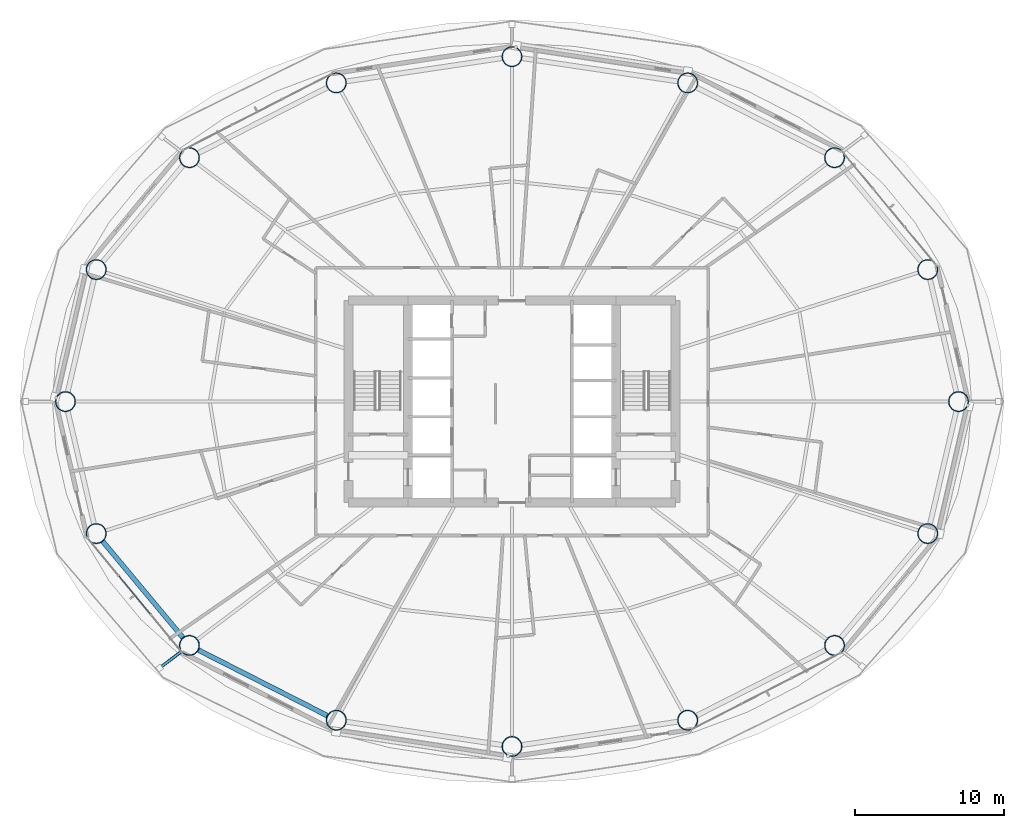
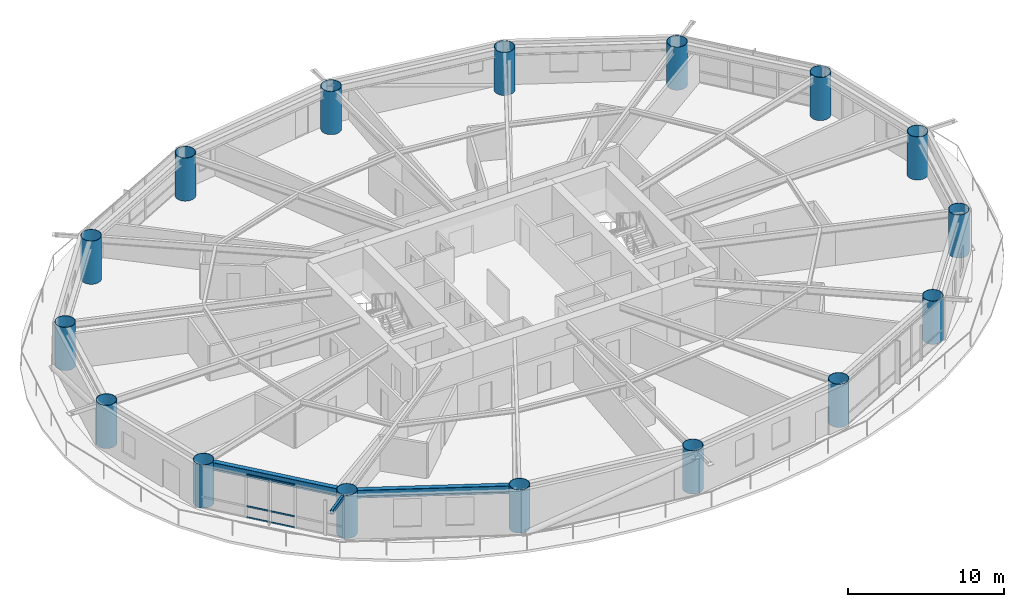
# One storey, part 1 of 26: 16 columns, 4 members, 2 beams, 1 element without a shape of its own.
"""IFC4 building model written with IfcOpenShell, lengths in metres."""

from ifc_helpers import new_model, si_unit, direction, frame, origin, origin_2d, place, context, subcontext, project, spatial, hollow_rectangle, hollow_circle, i_section, extrude, material, layer, layer_set, material_profile, profile_set, type_object, element, aggregate, save


model = new_model("IFC4")

# Units and contexts
model_context = context("Model", 3, precision=1e-05, world=origin(), true_north=direction((0.0, 1.0)))
body_context = subcontext(model_context, "Body", "Model", "MODEL_VIEW")
ifc_project = project(units=[si_unit("LENGTHUNIT", "METRE"), si_unit("AREAUNIT", "SQUARE_METRE"), si_unit("VOLUMEUNIT", "CUBIC_METRE"), si_unit("PLANEANGLEUNIT", "RADIAN"), si_unit("MASSUNIT", "GRAM", prefix="KILO")], contexts=[model_context])

# Site, building, storey
site_placement = place(None, origin())
site = spatial("IfcSite", under=ifc_project, at=site_placement, CompositionType="ELEMENT")
building_placement = place(site_placement, origin())
building = spatial("IfcBuilding", under=site, at=building_placement, Name="Sarneth Arch Tower", CompositionType="ELEMENT")
storey_placement = place(building_placement, frame((0.0, 0.0, 60.60009765625)))
storey = spatial("IfcBuildingStorey", under=building, at=storey_placement, Name="L14", CompositionType="ELEMENT", Elevation=60.60009765625)

# Columns
ifc_material_1 = material(Name="Steel S355", Category="steel")
ifc_material_profile_1 = material_profile(ifc_material_1, hollow_circle(Radius=0.675048828125, WallThickness=0.035888671875, at=origin_2d()), Name="CHS1350x36")
ifc_profile_set_1 = profile_set([ifc_material_profile_1], Name="Steel S355")
column_type = type_object("IfcColumnType", Name="COL-MEGA-1350", PredefinedType="COLUMN", material=ifc_profile_set_1)
for number, where, z_axis, x_axis, name in (
    (1, (78.034912109375, 42.0, 0.0), (0.0, 0.0, 1.0), (1.0, 0.0, 0.0), "L14 Perimeter mega-column M01"),
    (2, (75.965576171875, 50.878173828125, 0.0), (0.0, 0.0, 1.0), (1.0, 0.0, 0.0), "L14 Perimeter mega-column M02"),
    (3, (69.696533203125, 58.40478515625, 0.0), (0.0, 0.0, 1.0), (1.0, 0.0, 0.0), "L14 Perimeter mega-column M03"),
    (4, (59.81787109375, 63.43408203125, 0.0), (0.0, 0.0, 1.0), (1.0, 0.0, 0.0), "L14 Perimeter mega-column M04"),
    (5, (48.0, 65.199951171875, 0.0), (0.0, 0.0, 1.0), (1.0, 0.0, 0.0), "L14 Perimeter mega-column M05"),
    (6, (36.18212890625, 63.43408203125, 0.0), (0.0, 0.0, 1.0), (1.0, 0.0, 0.0), "L14 Perimeter mega-column M06"),
    (7, (26.303466796875, 58.40478515625, 0.0), (0.0, 0.0, 1.0), (1.0, 0.0, 0.0), "L14 Perimeter mega-column M07"),
    (8, (20.034423828125, 50.878173828125, 0.0), (0.0, 0.0, 1.0), (1.0, 0.0, 0.0), "L14 Perimeter mega-column M08"),
    (9, (17.965087890625, 42.0, 0.0), (0.0, 0.0, 1.0), (1.0, 0.0, 0.0), "L14 Perimeter mega-column M09"),
    (10, (20.034423828125, 33.121826171875, 0.0), (0.0, 0.0, 1.0), (1.0, 0.0, 0.0), "L14 Perimeter mega-column M10"),
    (11, (26.303466796875, 25.59521484375, 0.0), (0.0, 0.0, 1.0), (1.0, 0.0, 0.0), "L14 Perimeter mega-column M11"),
    (12, (36.18212890625, 20.56591796875, 0.0), (0.0, 0.0, 1.0), (1.0, 0.0, 0.0), "L14 Perimeter mega-column M12"),
    (13, (48.0, 18.800048828125, 0.0), (0.0, 0.0, 1.0), (1.0, 0.0, 0.0), "L14 Perimeter mega-column M13"),
    (14, (59.81787109375, 20.56591796875, 0.0), (0.0, 0.0, 1.0), (1.0, 0.0, 0.0), "L14 Perimeter mega-column M14"),
    (15, (69.696533203125, 25.59521484375, 0.0), (0.0, 0.0, 1.0), (1.0, 0.0, 0.0), "L14 Perimeter mega-column M15"),
    (16, (75.965576171875, 33.121826171875, 0.0), (0.0, 0.0, 1.0), (1.0, 0.0, 0.0), "L14 Perimeter mega-column M16"),
):
    element("IfcColumn", number, at=place(storey_placement, frame(where, z_axis=z_axis, x_axis=x_axis)), inside=storey, type_object=column_type, Name=name, PredefinedType="COLUMN", context=body_context, shape_type="SweptSolid", body=[
        extrude(hollow_circle(Radius=0.675048828125, WallThickness=0.035888671875, at=origin_2d()), origin(), (0.0, 0.0, 1.0), 3.3798828125),
    ])

# Beams
ifc_material_2 = material(Name="Steel S355", Category="steel")
ifc_material_profile_2 = material_profile(ifc_material_2, i_section(OverallWidth=0.326904296875, OverallDepth=0.6220703125, WebThickness=0.015380859375, FlangeThickness=0.0244140625, FilletRadius=0.01904296875, at=origin_2d()), Name="W610x195")
ifc_profile_set_2 = profile_set([ifc_material_profile_2], Name="Steel S355")
beam_type = type_object("IfcBeamType", Name="BM-SPAN-610A", PredefinedType="SPANDREL", material=ifc_profile_set_2)
beam_1_placement = place(storey_placement, frame((20.466552734375, 32.60302734375, 3.06884765625), z_axis=(0.639979646835, -0.768391860731, 0.0), x_axis=(0.768391860731, 0.639979646835, 0.0)))
element("IfcBeam", 17, at=beam_1_placement, inside=storey, type_object=beam_type, Name="L14 Perimeter spandrel beam 10", PredefinedType="SPANDREL", context=body_context, shape_type="SweptSolid", body=[
    extrude(i_section(OverallWidth=0.326904296875, OverallDepth=0.6220703125, WebThickness=0.015380859375, FlangeThickness=0.0244140625, FilletRadius=0.01904296875, at=origin_2d()), origin(), (0.0, 0.0, 1.0), 8.4453125),
])
beam_2_placement = place(storey_placement, frame((26.90478515625, 25.288818359375, 3.06884765625), z_axis=(0.8911738076, -0.453662037919, 0.0), x_axis=(0.453662037919, 0.8911738076, 0.0)))
element("IfcBeam", 18, at=beam_2_placement, inside=storey, type_object=beam_type, Name="L14 Perimeter spandrel beam 11", PredefinedType="SPANDREL", context=body_context, shape_type="SweptSolid", body=[
    extrude(i_section(OverallWidth=0.326904296875, OverallDepth=0.6220703125, WebThickness=0.015380859375, FlangeThickness=0.0244140625, FilletRadius=0.01904296875, at=origin_2d()), origin(), (0.0, 0.0, 1.0), 9.735107421875),
])

# Curtain wall, members
ifc_material_3 = material(Name="Anodised aluminium Type AA25 and solar-control low-e laminated IGU", Category="aluminium")
ifc_layer = layer(ifc_material_3, 0.159912109375)
ifc_layer_set = layer_set([ifc_layer], Name="Anodised aluminium Type AA25 and solar-control low-e laminated IGU")
curtain_wall_type = type_object("IfcCurtainWallType", Name="CW-HOTEL-LOW", PredefinedType="NOTDEFINED", material=ifc_layer_set)
curtain_wall_placement = place(storey_placement, origin())
curtain_wall = element("IfcCurtainWall", 19, at=curtain_wall_placement, inside=storey, type_object=curtain_wall_type, Name="L14 Unitised curtain wall facet 10", PredefinedType="NOTDEFINED")
ifc_material_4 = material(Name="Anodised Aluminium 6063-T6", Category="aluminium")
ifc_material_profile_3 = material_profile(ifc_material_4, hollow_rectangle(XDim=0.06005859375, YDim=0.1201171875, WallThickness=0.00390625, at=origin_2d()), Name="AL-TRAN-120x60x4")
ifc_profile_set_3 = profile_set([ifc_material_profile_3], Name="Anodised Aluminium 6063-T6")
member_type_1 = type_object("IfcMemberType", Name="CW-TRANSOM", PredefinedType="USERDEFINED", material=ifc_profile_set_3)
member_1_placement = place(storey_placement, frame((21.57373046875, 30.256103515625, 0.02978515625), z_axis=(0.637268595771, -0.770641769465, 0.0), x_axis=(0.770641769465, 0.637268595771, 0.0)))
member_1 = element("IfcMember", 20, at=member_1_placement, type_object=member_type_1, Name="CW-SYS-3 transom 2.1", ObjectType="TRANSOM", PredefinedType="USERDEFINED", context=body_context, shape_type="SweptSolid", body=[
    extrude(hollow_rectangle(XDim=0.06005859375, YDim=0.1201171875, WallThickness=0.00390625, at=origin_2d()), origin(), (0.0, 0.0, 1.0), 3.291259765625),
])
member_2_placement = place(storey_placement, frame((21.57373046875, 30.256103515625, 0.89990234375), z_axis=(0.637268595771, -0.770641769465, 0.0), x_axis=(0.770641769465, 0.637268595771, 0.0)))
member_2 = element("IfcMember", 21, at=member_2_placement, type_object=member_type_1, Name="CW-SYS-3 transom 2.2", ObjectType="TRANSOM", PredefinedType="USERDEFINED", context=body_context, shape_type="SweptSolid", body=[
    extrude(hollow_rectangle(XDim=0.06005859375, YDim=0.1201171875, WallThickness=0.00390625, at=origin_2d()), origin(), (0.0, 0.0, 1.0), 3.291259765625),
])
member_3_placement = place(storey_placement, frame((21.57373046875, 30.256103515625, 3.349853515625), z_axis=(0.637268595771, -0.770641769465, 0.0), x_axis=(0.770641769465, 0.637268595771, 0.0)))
member_3 = element("IfcMember", 22, at=member_3_placement, type_object=member_type_1, Name="CW-SYS-3 transom 2.3", ObjectType="TRANSOM", PredefinedType="USERDEFINED", context=body_context, shape_type="SweptSolid", body=[
    extrude(hollow_rectangle(XDim=0.06005859375, YDim=0.1201171875, WallThickness=0.00390625, at=origin_2d()), origin(), (0.0, 0.0, 1.0), 3.291259765625),
])
aggregate(curtain_wall, [member_1, member_2, member_3])

# Member
ifc_material_5 = material(Name="Steel S355", Category="steel")
ifc_material_profile_4 = material_profile(ifc_material_5, hollow_rectangle(XDim=0.199951171875, YDim=0.300048828125, WallThickness=0.012451171875, InnerFilletRadius=0.018798828125, OuterFilletRadius=0.03125, at=origin_2d()), Name="RHS300x200x12.5")
ifc_profile_set_4 = profile_set([ifc_material_profile_4], Name="Steel S355")
member_type_2 = type_object("IfcMemberType", Name="MEM-CANT-STRUT", PredefinedType="STRUT", material=ifc_profile_set_4)
member_4_placement = place(storey_placement, frame((25.764892578125, 25.18798828125, 3.219970703125), z_axis=(-0.797690399861, -0.60306718197, 0.0), x_axis=(0.60306718197, -0.797690399861, 0.0)))
element("IfcMember", 23, at=member_4_placement, inside=storey, type_object=member_type_2, Name="L14 Balcony cantilever bracket 11", PredefinedType="STRUT", context=body_context, shape_type="SweptSolid", body=[
    extrude(hollow_rectangle(XDim=0.199951171875, YDim=0.300048828125, WallThickness=0.012451171875, InnerFilletRadius=0.018798828125, OuterFilletRadius=0.03125, at=origin_2d()), origin(), (0.0, 0.0, 1.0), 1.843994140625),
])

save(model, "model.ifc")
